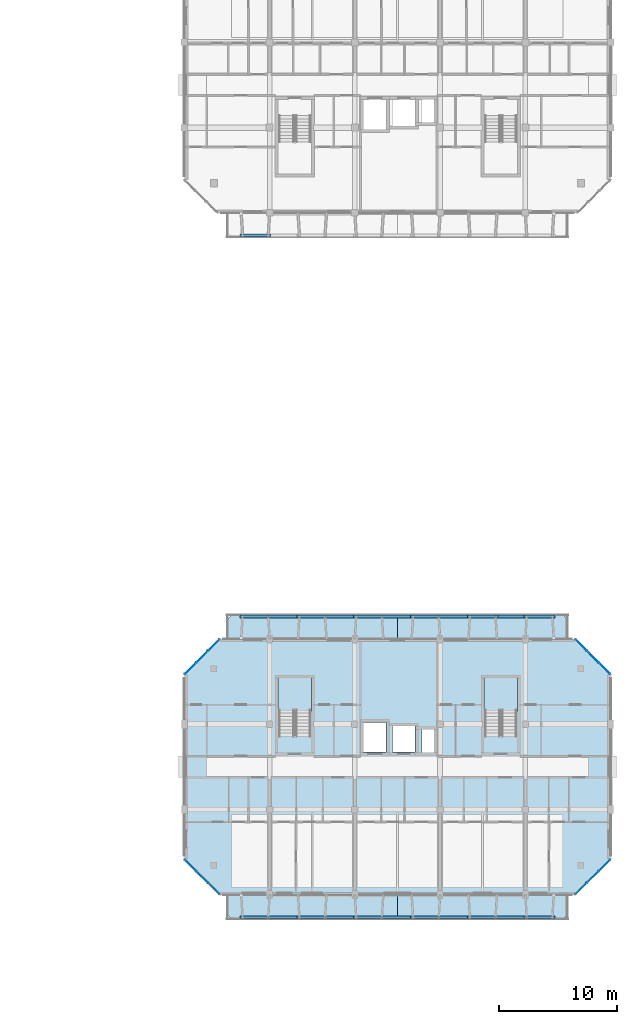
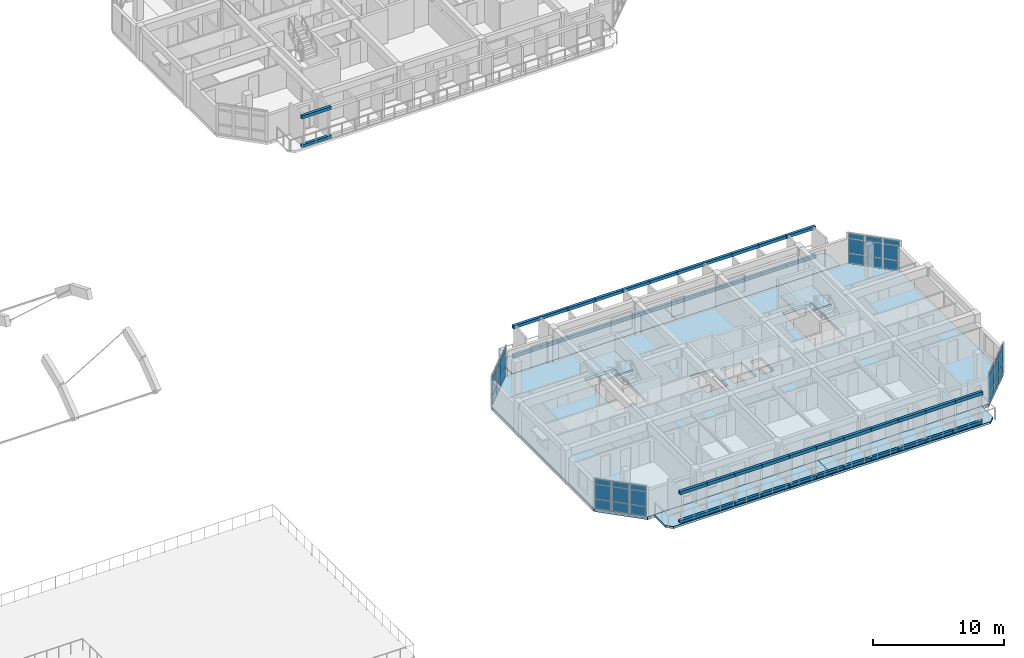
# One storey, part 23 of 64: 82 plates, 7 slabs, 6 elements without a shape of their own.
"""IFC4 building model written with IfcOpenShell, lengths in metres."""

from ifc_helpers import new_model, si_unit, direction, frame, origin, origin_2d, place, context, subcontext, project, spatial, polyline, rectangle, outline, extrude, material, layer, layer_set, type_object, element, aggregate, save


model = new_model("IFC4")

# Units and contexts
model_context = context("Model", 3, precision=1e-05, world=origin(), true_north=direction((0.0, 1.0)))
body_context = subcontext(model_context, "Body", "Model", "MODEL_VIEW")
ifc_project = project(units=[si_unit("LENGTHUNIT", "METRE"), si_unit("AREAUNIT", "SQUARE_METRE"), si_unit("VOLUMEUNIT", "CUBIC_METRE"), si_unit("PLANEANGLEUNIT", "RADIAN"), si_unit("MASSUNIT", "GRAM", prefix="KILO")], contexts=[model_context])

# Site, building, storey
site_placement = place(None, origin())
site = spatial("IfcSite", under=ifc_project, at=site_placement, CompositionType="ELEMENT")
building_placement = place(site_placement, origin())
building = spatial("IfcBuilding", under=site, at=building_placement, Name="Ochrevale Crest", CompositionType="ELEMENT")
storey_placement = place(building_placement, frame((0.0, 0.0, 8.699951171875)))
storey = spatial("IfcBuildingStorey", under=building, at=storey_placement, Name="L02", CompositionType="ELEMENT", Elevation=8.699951171875)

# Curtain wall, plates
ifc_material_1 = material(Name="Anodised aluminium 6063-T5", Category="aluminium")
ifc_layer_1 = layer(ifc_material_1, 0.14990234375)
ifc_layer_set_1 = layer_set([ifc_layer_1], Name="Anodised aluminium 6063-T5")
curtain_wall_type_1 = type_object("IfcCurtainWallType", Name="CW-WG-420x285", PredefinedType="NOTDEFINED", material=ifc_layer_set_1)
curtain_wall_1_placement = place(storey_placement, origin())
curtain_wall_1 = element("IfcCurtainWall", 1, at=curtain_wall_1_placement, inside=storey, type_object=curtain_wall_type_1, Name="Block C L02 chamfered corner wintergarden curtain wall 2", PredefinedType="NOTDEFINED")
ifc_material_2 = material(Name="Double-glazed low-E insulated glass unit", Category="glass")
ifc_layer_2 = layer(ifc_material_2, 0.028076171875)
ifc_layer_set_2 = layer_set([ifc_layer_2], Name="Double-glazed low-E insulated glass unit")
plate_type_1 = type_object("IfcPlateType", Name="CW-PNL-IGU28", PredefinedType="CURTAIN_PANEL", material=ifc_layer_set_2)
plate_1_placement = place(storey_placement, frame((163.11328125, 14.913330078125, 0.06005859375), z_axis=(0.0, 0.0, 1.0), x_axis=(0.707106781187, 0.707106781187, 0.0)))
plate_1 = element("IfcPlate", 2, at=plate_1_placement, type_object=plate_type_1, Name="CW22 panel 1.1", PredefinedType="CURTAIN_PANEL", context=body_context, shape_type="SweptSolid", body=[
    extrude(rectangle(XDim=1.3017578125, YDim=0.028076171875, at=origin_2d()), origin(), (0.0, 0.0, 1.0), 0.860107421875),
])
plate_2_placement = place(storey_placement, frame((163.11328125, 14.913330078125, 0.97998046875), z_axis=(0.0, 0.0, 1.0), x_axis=(0.707106781187, 0.707106781187, 0.0)))
plate_2 = element("IfcPlate", 3, at=plate_2_placement, type_object=plate_type_1, Name="CW22 panel 1.2", PredefinedType="CURTAIN_PANEL", context=body_context, shape_type="SweptSolid", body=[
    extrude(rectangle(XDim=1.3017578125, YDim=0.028076171875, at=origin_2d()), origin(), (0.0, 0.0, 1.0), 1.31494140625),
])
plate_3_placement = place(storey_placement, frame((163.11328125, 14.913330078125, 2.35498046875), z_axis=(0.0, 0.0, 1.0), x_axis=(0.707106781187, 0.707106781187, 0.0)))
plate_3 = element("IfcPlate", 4, at=plate_3_placement, type_object=plate_type_1, Name="CW22 panel 1.3", PredefinedType="CURTAIN_PANEL", context=body_context, shape_type="SweptSolid", body=[
    extrude(rectangle(XDim=1.3017578125, YDim=0.028076171875, at=origin_2d()), origin(), (0.0, 0.0, 1.0), 0.4599609375),
])
plate_4_placement = place(storey_placement, frame((164.10009765625, 15.89990234375, 0.06005859375), z_axis=(0.0, 0.0, 1.0), x_axis=(0.707106781187, 0.707106781187, 0.0)))
plate_4 = element("IfcPlate", 5, at=plate_4_placement, type_object=plate_type_1, Name="CW22 panel 2.1", PredefinedType="CURTAIN_PANEL", context=body_context, shape_type="SweptSolid", body=[
    extrude(rectangle(XDim=1.339111328125, YDim=0.028076171875, at=origin_2d()), origin(), (0.0, 0.0, 1.0), 0.860107421875),
])
plate_5_placement = place(storey_placement, frame((164.10009765625, 15.89990234375, 0.97998046875), z_axis=(0.0, 0.0, 1.0), x_axis=(0.707106781187, 0.707106781187, 0.0)))
plate_5 = element("IfcPlate", 6, at=plate_5_placement, type_object=plate_type_1, Name="CW22 panel 2.2", PredefinedType="CURTAIN_PANEL", context=body_context, shape_type="SweptSolid", body=[
    extrude(rectangle(XDim=1.339111328125, YDim=0.028076171875, at=origin_2d()), origin(), (0.0, 0.0, 1.0), 1.31494140625),
])
plate_6_placement = place(storey_placement, frame((164.10009765625, 15.89990234375, 2.35498046875), z_axis=(0.0, 0.0, 1.0), x_axis=(0.707106781187, 0.707106781187, 0.0)))
plate_6 = element("IfcPlate", 7, at=plate_6_placement, type_object=plate_type_1, Name="CW22 panel 2.3", PredefinedType="CURTAIN_PANEL", context=body_context, shape_type="SweptSolid", body=[
    extrude(rectangle(XDim=1.339111328125, YDim=0.028076171875, at=origin_2d()), origin(), (0.0, 0.0, 1.0), 0.4599609375),
])
plate_7_placement = place(storey_placement, frame((165.086669921875, 16.88671875, 0.06005859375), z_axis=(0.0, 0.0, 1.0), x_axis=(0.707106781187, 0.707106781187, 0.0)))
plate_7 = element("IfcPlate", 8, at=plate_7_placement, type_object=plate_type_1, Name="CW22 panel 3.1", PredefinedType="CURTAIN_PANEL", context=body_context, shape_type="SweptSolid", body=[
    extrude(rectangle(XDim=1.3017578125, YDim=0.028076171875, at=origin_2d()), origin(), (0.0, 0.0, 1.0), 0.860107421875),
])
plate_8_placement = place(storey_placement, frame((165.086669921875, 16.88671875, 0.97998046875), z_axis=(0.0, 0.0, 1.0), x_axis=(0.707106781187, 0.707106781187, 0.0)))
plate_8 = element("IfcPlate", 9, at=plate_8_placement, type_object=plate_type_1, Name="CW22 panel 3.2", PredefinedType="CURTAIN_PANEL", context=body_context, shape_type="SweptSolid", body=[
    extrude(rectangle(XDim=1.3017578125, YDim=0.028076171875, at=origin_2d()), origin(), (0.0, 0.0, 1.0), 1.31494140625),
])
plate_9_placement = place(storey_placement, frame((165.086669921875, 16.88671875, 2.35498046875), z_axis=(0.0, 0.0, 1.0), x_axis=(0.707106781187, 0.707106781187, 0.0)))
plate_9 = element("IfcPlate", 10, at=plate_9_placement, type_object=plate_type_1, Name="CW22 panel 3.3", PredefinedType="CURTAIN_PANEL", context=body_context, shape_type="SweptSolid", body=[
    extrude(rectangle(XDim=1.3017578125, YDim=0.028076171875, at=origin_2d()), origin(), (0.0, 0.0, 1.0), 0.4599609375),
])
aggregate(curtain_wall_1, [plate_1, plate_2, plate_3, plate_4, plate_5, plate_6, plate_7, plate_8, plate_9])

ifc_layer_3 = layer(ifc_material_1, 0.14990234375)
ifc_layer_set_3 = layer_set([ifc_layer_3], Name="Anodised aluminium 6063-T5")
curtain_wall_type_2 = type_object("IfcCurtainWallType", Name="CW-WG-240x285", PredefinedType="NOTDEFINED", material=ifc_layer_set_3)
curtain_wall_2_placement = place(storey_placement, origin())
curtain_wall_2 = element("IfcCurtainWall", 11, at=curtain_wall_2_placement, inside=storey, type_object=curtain_wall_type_2, Name="Block C L02 chamfered corner wintergarden curtain wall 8", PredefinedType="NOTDEFINED")
plate_10_placement = place(storey_placement, frame((130.11328125, 16.88671875, 0.06005859375), z_axis=(0.0, 0.0, 1.0), x_axis=(0.707106781187, -0.707106781187, 0.0)))
plate_10 = element("IfcPlate", 12, at=plate_10_placement, type_object=plate_type_1, Name="CW15 panel 1.1", PredefinedType="CURTAIN_PANEL", context=body_context, shape_type="SweptSolid", body=[
    extrude(rectangle(XDim=1.3017578125, YDim=0.028076171875, at=origin_2d()), origin(), (0.0, 0.0, 1.0), 0.860107421875),
])
plate_11_placement = place(storey_placement, frame((130.11328125, 16.88671875, 0.97998046875), z_axis=(0.0, 0.0, 1.0), x_axis=(0.707106781187, -0.707106781187, 0.0)))
plate_11 = element("IfcPlate", 13, at=plate_11_placement, type_object=plate_type_1, Name="CW15 panel 1.2", PredefinedType="CURTAIN_PANEL", context=body_context, shape_type="SweptSolid", body=[
    extrude(rectangle(XDim=1.3017578125, YDim=0.028076171875, at=origin_2d()), origin(), (0.0, 0.0, 1.0), 1.31494140625),
])
plate_12_placement = place(storey_placement, frame((130.11328125, 16.88671875, 2.35498046875), z_axis=(0.0, 0.0, 1.0), x_axis=(0.707106781187, -0.707106781187, 0.0)))
plate_12 = element("IfcPlate", 14, at=plate_12_placement, type_object=plate_type_1, Name="CW15 panel 1.3", PredefinedType="CURTAIN_PANEL", context=body_context, shape_type="SweptSolid", body=[
    extrude(rectangle(XDim=1.3017578125, YDim=0.028076171875, at=origin_2d()), origin(), (0.0, 0.0, 1.0), 0.4599609375),
])
plate_13_placement = place(storey_placement, frame((131.10009765625, 15.89990234375, 0.06005859375), z_axis=(0.0, 0.0, 1.0), x_axis=(0.707106781187, -0.707106781187, 0.0)))
plate_13 = element("IfcPlate", 15, at=plate_13_placement, type_object=plate_type_1, Name="CW15 panel 2.1", PredefinedType="CURTAIN_PANEL", context=body_context, shape_type="SweptSolid", body=[
    extrude(rectangle(XDim=1.339111328125, YDim=0.028076171875, at=origin_2d()), origin(), (0.0, 0.0, 1.0), 0.860107421875),
])
plate_14_placement = place(storey_placement, frame((131.10009765625, 15.89990234375, 0.97998046875), z_axis=(0.0, 0.0, 1.0), x_axis=(0.707106781187, -0.707106781187, 0.0)))
plate_14 = element("IfcPlate", 16, at=plate_14_placement, type_object=plate_type_1, Name="CW15 panel 2.2", PredefinedType="CURTAIN_PANEL", context=body_context, shape_type="SweptSolid", body=[
    extrude(rectangle(XDim=1.339111328125, YDim=0.028076171875, at=origin_2d()), origin(), (0.0, 0.0, 1.0), 1.31494140625),
])
plate_15_placement = place(storey_placement, frame((131.10009765625, 15.89990234375, 2.35498046875), z_axis=(0.0, 0.0, 1.0), x_axis=(0.707106781187, -0.707106781187, 0.0)))
plate_15 = element("IfcPlate", 17, at=plate_15_placement, type_object=plate_type_1, Name="CW15 panel 2.3", PredefinedType="CURTAIN_PANEL", context=body_context, shape_type="SweptSolid", body=[
    extrude(rectangle(XDim=1.339111328125, YDim=0.028076171875, at=origin_2d()), origin(), (0.0, 0.0, 1.0), 0.4599609375),
])
plate_16_placement = place(storey_placement, frame((132.086669921875, 14.913330078125, 0.06005859375), z_axis=(0.0, 0.0, 1.0), x_axis=(0.707106781187, -0.707106781187, 0.0)))
plate_16 = element("IfcPlate", 18, at=plate_16_placement, type_object=plate_type_1, Name="CW15 panel 3.1", PredefinedType="CURTAIN_PANEL", context=body_context, shape_type="SweptSolid", body=[
    extrude(rectangle(XDim=1.3017578125, YDim=0.028076171875, at=origin_2d()), origin(), (0.0, 0.0, 1.0), 0.860107421875),
])
plate_17_placement = place(storey_placement, frame((132.086669921875, 14.913330078125, 0.97998046875), z_axis=(0.0, 0.0, 1.0), x_axis=(0.707106781187, -0.707106781187, 0.0)))
plate_17 = element("IfcPlate", 19, at=plate_17_placement, type_object=plate_type_1, Name="CW15 panel 3.2", PredefinedType="CURTAIN_PANEL", context=body_context, shape_type="SweptSolid", body=[
    extrude(rectangle(XDim=1.3017578125, YDim=0.028076171875, at=origin_2d()), origin(), (0.0, 0.0, 1.0), 1.31494140625),
])
plate_18_placement = place(storey_placement, frame((132.086669921875, 14.913330078125, 2.35498046875), z_axis=(0.0, 0.0, 1.0), x_axis=(0.707106781187, -0.707106781187, 0.0)))
plate_18 = element("IfcPlate", 20, at=plate_18_placement, type_object=plate_type_1, Name="CW15 panel 3.3", PredefinedType="CURTAIN_PANEL", context=body_context, shape_type="SweptSolid", body=[
    extrude(rectangle(XDim=1.3017578125, YDim=0.028076171875, at=origin_2d()), origin(), (0.0, 0.0, 1.0), 0.4599609375),
])
aggregate(curtain_wall_2, [plate_10, plate_11, plate_12, plate_13, plate_14, plate_15, plate_16, plate_17, plate_18])

ifc_layer_4 = layer(ifc_material_1, 0.14990234375)
ifc_layer_set_4 = layer_set([ifc_layer_4], Name="Anodised aluminium 6063-T5")
curtain_wall_type_3 = type_object("IfcCurtainWallType", Name="CW-WG-280x285", PredefinedType="NOTDEFINED", material=ifc_layer_set_4)
curtain_wall_3_placement = place(storey_placement, origin())
curtain_wall_3 = element("IfcCurtainWall", 21, at=curtain_wall_3_placement, inside=storey, type_object=curtain_wall_type_3, Name="Block C L02 chamfered corner wintergarden curtain wall 4", PredefinedType="NOTDEFINED")
ifc_material_3 = material(Name="Acoustic laminated low-E insulated glass unit", Category="glass")
ifc_layer_5 = layer(ifc_material_3, 0.0380859375)
ifc_layer_set_5 = layer_set([ifc_layer_5], Name="Acoustic laminated low-E insulated glass unit")
plate_type_2 = type_object("IfcPlateType", Name="CW-PNL-IGU38", PredefinedType="CURTAIN_PANEL", material=ifc_layer_set_5)
plate_19_placement = place(storey_placement, frame((165.086669921875, 33.51318359375, 0.06005859375), z_axis=(0.0, 0.0, 1.0), x_axis=(-0.707106781187, 0.707106781187, 0.0)))
plate_19 = element("IfcPlate", 22, at=plate_19_placement, type_object=plate_type_2, Name="CW16 panel 1.1", PredefinedType="CURTAIN_PANEL", context=body_context, shape_type="SweptSolid", body=[
    extrude(rectangle(XDim=1.3017578125, YDim=0.0380859375, at=origin_2d()), origin(), (0.0, 0.0, 1.0), 0.860107421875),
])
plate_20_placement = place(storey_placement, frame((165.086669921875, 33.51318359375, 0.97998046875), z_axis=(0.0, 0.0, 1.0), x_axis=(-0.707106781187, 0.707106781187, 0.0)))
plate_20 = element("IfcPlate", 23, at=plate_20_placement, type_object=plate_type_2, Name="CW16 panel 1.2", PredefinedType="CURTAIN_PANEL", context=body_context, shape_type="SweptSolid", body=[
    extrude(rectangle(XDim=1.3017578125, YDim=0.0380859375, at=origin_2d()), origin(), (0.0, 0.0, 1.0), 1.31494140625),
])
plate_21_placement = place(storey_placement, frame((165.086669921875, 33.51318359375, 2.35498046875), z_axis=(0.0, 0.0, 1.0), x_axis=(-0.707106781187, 0.707106781187, 0.0)))
plate_21 = element("IfcPlate", 24, at=plate_21_placement, type_object=plate_type_2, Name="CW16 panel 1.3", PredefinedType="CURTAIN_PANEL", context=body_context, shape_type="SweptSolid", body=[
    extrude(rectangle(XDim=1.3017578125, YDim=0.0380859375, at=origin_2d()), origin(), (0.0, 0.0, 1.0), 0.4599609375),
])
plate_22_placement = place(storey_placement, frame((164.10009765625, 34.5, 0.06005859375), z_axis=(0.0, 0.0, 1.0), x_axis=(-0.707106781187, 0.707106781187, 0.0)))
plate_22 = element("IfcPlate", 25, at=plate_22_placement, type_object=plate_type_2, Name="CW16 panel 2.1", PredefinedType="CURTAIN_PANEL", context=body_context, shape_type="SweptSolid", body=[
    extrude(rectangle(XDim=1.339111328125, YDim=0.0380859375, at=origin_2d()), origin(), (0.0, 0.0, 1.0), 0.860107421875),
])
plate_23_placement = place(storey_placement, frame((164.10009765625, 34.5, 0.97998046875), z_axis=(0.0, 0.0, 1.0), x_axis=(-0.707106781187, 0.707106781187, 0.0)))
plate_23 = element("IfcPlate", 26, at=plate_23_placement, type_object=plate_type_2, Name="CW16 panel 2.2", PredefinedType="CURTAIN_PANEL", context=body_context, shape_type="SweptSolid", body=[
    extrude(rectangle(XDim=1.339111328125, YDim=0.0380859375, at=origin_2d()), origin(), (0.0, 0.0, 1.0), 1.31494140625),
])
plate_24_placement = place(storey_placement, frame((164.10009765625, 34.5, 2.35498046875), z_axis=(0.0, 0.0, 1.0), x_axis=(-0.707106781187, 0.707106781187, 0.0)))
plate_24 = element("IfcPlate", 27, at=plate_24_placement, type_object=plate_type_2, Name="CW16 panel 2.3", PredefinedType="CURTAIN_PANEL", context=body_context, shape_type="SweptSolid", body=[
    extrude(rectangle(XDim=1.339111328125, YDim=0.0380859375, at=origin_2d()), origin(), (0.0, 0.0, 1.0), 0.4599609375),
])
plate_25_placement = place(storey_placement, frame((163.11328125, 35.48681640625, 0.06005859375), z_axis=(0.0, 0.0, 1.0), x_axis=(-0.707106781187, 0.707106781187, 0.0)))
plate_25 = element("IfcPlate", 28, at=plate_25_placement, type_object=plate_type_2, Name="CW16 panel 3.1", PredefinedType="CURTAIN_PANEL", context=body_context, shape_type="SweptSolid", body=[
    extrude(rectangle(XDim=1.3017578125, YDim=0.0380859375, at=origin_2d()), origin(), (0.0, 0.0, 1.0), 0.860107421875),
])
plate_26_placement = place(storey_placement, frame((163.11328125, 35.48681640625, 0.97998046875), z_axis=(0.0, 0.0, 1.0), x_axis=(-0.707106781187, 0.707106781187, 0.0)))
plate_26 = element("IfcPlate", 29, at=plate_26_placement, type_object=plate_type_2, Name="CW16 panel 3.2", PredefinedType="CURTAIN_PANEL", context=body_context, shape_type="SweptSolid", body=[
    extrude(rectangle(XDim=1.3017578125, YDim=0.0380859375, at=origin_2d()), origin(), (0.0, 0.0, 1.0), 1.31494140625),
])
plate_27_placement = place(storey_placement, frame((163.11328125, 35.48681640625, 2.35498046875), z_axis=(0.0, 0.0, 1.0), x_axis=(-0.707106781187, 0.707106781187, 0.0)))
plate_27 = element("IfcPlate", 30, at=plate_27_placement, type_object=plate_type_2, Name="CW16 panel 3.3", PredefinedType="CURTAIN_PANEL", context=body_context, shape_type="SweptSolid", body=[
    extrude(rectangle(XDim=1.3017578125, YDim=0.0380859375, at=origin_2d()), origin(), (0.0, 0.0, 1.0), 0.4599609375),
])
aggregate(curtain_wall_3, [plate_19, plate_20, plate_21, plate_22, plate_23, plate_24, plate_25, plate_26, plate_27])

ifc_layer_6 = layer(ifc_material_1, 0.14990234375)
ifc_layer_set_6 = layer_set([ifc_layer_6], Name="Anodised aluminium 6063-T5")
curtain_wall_type_4 = type_object("IfcCurtainWallType", Name="CW-WG-360x285", PredefinedType="NOTDEFINED", material=ifc_layer_set_6)
curtain_wall_4_placement = place(storey_placement, origin())
curtain_wall_4 = element("IfcCurtainWall", 31, at=curtain_wall_4_placement, inside=storey, type_object=curtain_wall_type_4, Name="Block C L02 chamfered corner wintergarden curtain wall 6", PredefinedType="NOTDEFINED")
plate_28_placement = place(storey_placement, frame((132.086669921875, 35.48681640625, 0.06005859375), z_axis=(0.0, 0.0, 1.0), x_axis=(-0.707106781187, -0.707106781187, 0.0)))
plate_28 = element("IfcPlate", 32, at=plate_28_placement, type_object=plate_type_2, Name="CW18 panel 1.1", PredefinedType="CURTAIN_PANEL", context=body_context, shape_type="SweptSolid", body=[
    extrude(rectangle(XDim=1.3017578125, YDim=0.0380859375, at=origin_2d()), origin(), (0.0, 0.0, 1.0), 0.860107421875),
])
plate_29_placement = place(storey_placement, frame((132.086669921875, 35.48681640625, 0.97998046875), z_axis=(0.0, 0.0, 1.0), x_axis=(-0.707106781187, -0.707106781187, 0.0)))
plate_29 = element("IfcPlate", 33, at=plate_29_placement, type_object=plate_type_2, Name="CW18 panel 1.2", PredefinedType="CURTAIN_PANEL", context=body_context, shape_type="SweptSolid", body=[
    extrude(rectangle(XDim=1.3017578125, YDim=0.0380859375, at=origin_2d()), origin(), (0.0, 0.0, 1.0), 1.31494140625),
])
plate_30_placement = place(storey_placement, frame((132.086669921875, 35.48681640625, 2.35498046875), z_axis=(0.0, 0.0, 1.0), x_axis=(-0.707106781187, -0.707106781187, 0.0)))
plate_30 = element("IfcPlate", 34, at=plate_30_placement, type_object=plate_type_2, Name="CW18 panel 1.3", PredefinedType="CURTAIN_PANEL", context=body_context, shape_type="SweptSolid", body=[
    extrude(rectangle(XDim=1.3017578125, YDim=0.0380859375, at=origin_2d()), origin(), (0.0, 0.0, 1.0), 0.4599609375),
])
plate_31_placement = place(storey_placement, frame((131.10009765625, 34.5, 0.06005859375), z_axis=(0.0, 0.0, 1.0), x_axis=(-0.707106781187, -0.707106781187, 0.0)))
plate_31 = element("IfcPlate", 35, at=plate_31_placement, type_object=plate_type_2, Name="CW18 panel 2.1", PredefinedType="CURTAIN_PANEL", context=body_context, shape_type="SweptSolid", body=[
    extrude(rectangle(XDim=1.339111328125, YDim=0.0380859375, at=origin_2d()), origin(), (0.0, 0.0, 1.0), 0.860107421875),
])
plate_32_placement = place(storey_placement, frame((131.10009765625, 34.5, 0.97998046875), z_axis=(0.0, 0.0, 1.0), x_axis=(-0.707106781187, -0.707106781187, 0.0)))
plate_32 = element("IfcPlate", 36, at=plate_32_placement, type_object=plate_type_2, Name="CW18 panel 2.2", PredefinedType="CURTAIN_PANEL", context=body_context, shape_type="SweptSolid", body=[
    extrude(rectangle(XDim=1.339111328125, YDim=0.0380859375, at=origin_2d()), origin(), (0.0, 0.0, 1.0), 1.31494140625),
])
plate_33_placement = place(storey_placement, frame((131.10009765625, 34.5, 2.35498046875), z_axis=(0.0, 0.0, 1.0), x_axis=(-0.707106781187, -0.707106781187, 0.0)))
plate_33 = element("IfcPlate", 37, at=plate_33_placement, type_object=plate_type_2, Name="CW18 panel 2.3", PredefinedType="CURTAIN_PANEL", context=body_context, shape_type="SweptSolid", body=[
    extrude(rectangle(XDim=1.339111328125, YDim=0.0380859375, at=origin_2d()), origin(), (0.0, 0.0, 1.0), 0.4599609375),
])
plate_34_placement = place(storey_placement, frame((130.11328125, 33.51318359375, 0.06005859375), z_axis=(0.0, 0.0, 1.0), x_axis=(-0.707106781187, -0.707106781187, 0.0)))
plate_34 = element("IfcPlate", 38, at=plate_34_placement, type_object=plate_type_2, Name="CW18 panel 3.1", PredefinedType="CURTAIN_PANEL", context=body_context, shape_type="SweptSolid", body=[
    extrude(rectangle(XDim=1.3017578125, YDim=0.0380859375, at=origin_2d()), origin(), (0.0, 0.0, 1.0), 0.860107421875),
])
plate_35_placement = place(storey_placement, frame((130.11328125, 33.51318359375, 0.97998046875), z_axis=(0.0, 0.0, 1.0), x_axis=(-0.707106781187, -0.707106781187, 0.0)))
plate_35 = element("IfcPlate", 39, at=plate_35_placement, type_object=plate_type_2, Name="CW18 panel 3.2", PredefinedType="CURTAIN_PANEL", context=body_context, shape_type="SweptSolid", body=[
    extrude(rectangle(XDim=1.3017578125, YDim=0.0380859375, at=origin_2d()), origin(), (0.0, 0.0, 1.0), 1.31494140625),
])
plate_36_placement = place(storey_placement, frame((130.11328125, 33.51318359375, 2.35498046875), z_axis=(0.0, 0.0, 1.0), x_axis=(-0.707106781187, -0.707106781187, 0.0)))
plate_36 = element("IfcPlate", 40, at=plate_36_placement, type_object=plate_type_2, Name="CW18 panel 3.3", PredefinedType="CURTAIN_PANEL", context=body_context, shape_type="SweptSolid", body=[
    extrude(rectangle(XDim=1.3017578125, YDim=0.0380859375, at=origin_2d()), origin(), (0.0, 0.0, 1.0), 0.4599609375),
])
aggregate(curtain_wall_4, [plate_28, plate_29, plate_30, plate_31, plate_32, plate_33, plate_34, plate_35, plate_36])

# Plates
ifc_material_4 = material(Name="Precast concrete C40/50", Category="concrete")
ifc_layer_7 = layer(ifc_material_4, 0.06005859375)
ifc_layer_set_7 = layer_set([ifc_layer_7], Name="Precast concrete C40/50")
plate_type_3 = type_object("IfcPlateType", Name="PLT-HC-HEAD-60", PredefinedType="USERDEFINED", material=ifc_layer_set_7)
for number, where, z_axis, x_axis, name in (
    (41, (135.60009765625, 12.5, 2.669921875), (0.0, 0.0, 1.0), (1.0, 0.0, 0.0), "Block C L02 S honeycomb arched lintel fascia 1"),
    (42, (138.0, 12.5, 2.669921875), (0.0, 0.0, 1.0), (1.0, 0.0, 0.0), "Block C L02 S honeycomb arched lintel fascia 2"),
    (43, (140.39990234375, 12.5, 2.669921875), (0.0, 0.0, 1.0), (1.0, 0.0, 0.0), "Block C L02 S honeycomb arched lintel fascia 3"),
    (44, (142.800048828125, 12.5, 2.669921875), (0.0, 0.0, 1.0), (1.0, 0.0, 0.0), "Block C L02 S honeycomb arched lintel fascia 4"),
    (45, (145.199951171875, 12.5, 2.669921875), (0.0, 0.0, 1.0), (1.0, 0.0, 0.0), "Block C L02 S honeycomb arched lintel fascia 5"),
    (46, (147.60009765625, 12.5, 2.669921875), (0.0, 0.0, 1.0), (1.0, 0.0, 0.0), "Block C L02 S honeycomb arched lintel fascia 6"),
    (47, (150.0, 12.5, 2.669921875), (0.0, 0.0, 1.0), (1.0, 0.0, 0.0), "Block C L02 S honeycomb arched lintel fascia 7"),
    (48, (152.39990234375, 12.5, 2.669921875), (0.0, 0.0, 1.0), (1.0, 0.0, 0.0), "Block C L02 S honeycomb arched lintel fascia 8"),
    (49, (154.800048828125, 12.5, 2.669921875), (0.0, 0.0, 1.0), (1.0, 0.0, 0.0), "Block C L02 S honeycomb arched lintel fascia 9"),
    (50, (157.199951171875, 12.5, 2.669921875), (0.0, 0.0, 1.0), (1.0, 0.0, 0.0), "Block C L02 S honeycomb arched lintel fascia 10"),
    (51, (159.60009765625, 12.5, 2.669921875), (0.0, 0.0, 1.0), (1.0, 0.0, 0.0), "Block C L02 S honeycomb arched lintel fascia 11"),
    (52, (135.60009765625, 37.89990234375, 2.669921875), (0.0, 0.0, 1.0), (1.0, 0.0, 0.0), "Block C L02 N honeycomb arched lintel fascia 1"),
    (53, (138.0, 37.89990234375, 2.669921875), (0.0, 0.0, 1.0), (1.0, 0.0, 0.0), "Block C L02 N honeycomb arched lintel fascia 2"),
    (54, (140.39990234375, 37.89990234375, 2.669921875), (0.0, 0.0, 1.0), (1.0, 0.0, 0.0), "Block C L02 N honeycomb arched lintel fascia 3"),
    (55, (142.800048828125, 37.89990234375, 2.669921875), (0.0, 0.0, 1.0), (1.0, 0.0, 0.0), "Block C L02 N honeycomb arched lintel fascia 4"),
    (56, (145.199951171875, 37.89990234375, 2.669921875), (0.0, 0.0, 1.0), (1.0, 0.0, 0.0), "Block C L02 N honeycomb arched lintel fascia 5"),
    (57, (147.60009765625, 37.89990234375, 2.669921875), (0.0, 0.0, 1.0), (1.0, 0.0, 0.0), "Block C L02 N honeycomb arched lintel fascia 6"),
    (58, (150.0, 37.89990234375, 2.669921875), (0.0, 0.0, 1.0), (1.0, 0.0, 0.0), "Block C L02 N honeycomb arched lintel fascia 7"),
    (59, (152.39990234375, 37.89990234375, 2.669921875), (0.0, 0.0, 1.0), (1.0, 0.0, 0.0), "Block C L02 N honeycomb arched lintel fascia 8"),
    (60, (154.800048828125, 37.89990234375, 2.669921875), (0.0, 0.0, 1.0), (1.0, 0.0, 0.0), "Block C L02 N honeycomb arched lintel fascia 9"),
    (61, (157.199951171875, 37.89990234375, 2.669921875), (0.0, 0.0, 1.0), (1.0, 0.0, 0.0), "Block C L02 N honeycomb arched lintel fascia 10"),
    (62, (159.60009765625, 37.89990234375, 2.669921875), (0.0, 0.0, 1.0), (1.0, 0.0, 0.0), "Block C L02 N honeycomb arched lintel fascia 11"),
    (63, (135.60009765625, 70.10009765625, 2.669921875), (0.0, 0.0, 1.0), (1.0, 0.0, 0.0), "Block D L02 S honeycomb arched lintel fascia 1"),
):
    element("IfcPlate", number, at=place(storey_placement, frame(where, z_axis=z_axis, x_axis=x_axis)), inside=storey, type_object=plate_type_3, Name=name, ObjectType="FACADE FASCIA PLATE", PredefinedType="USERDEFINED", context=body_context, shape_type="SweptSolid", body=[
        extrude(rectangle(XDim=2.60009765625, YDim=0.239990234375, at=origin_2d()), origin(), (0.0, 0.0, 1.0), 0.280029296875),
    ])
ifc_layer_8 = layer(ifc_material_4, 0.044921875)
ifc_layer_set_8 = layer_set([ifc_layer_8], Name="Precast concrete C40/50")
plate_type_4 = type_object("IfcPlateType", Name="PLT-HC-SILL-45", PredefinedType="USERDEFINED", material=ifc_layer_set_8)
for number, where, z_axis, x_axis, name in (
    (64, (135.60009765625, 12.5, 0.0), (0.0, 0.0, 1.0), (1.0, 0.0, 0.0), "Block C L02 S honeycomb sill coping plate 1"),
    (65, (138.0, 12.5, 0.0), (0.0, 0.0, 1.0), (1.0, 0.0, 0.0), "Block C L02 S honeycomb sill coping plate 2"),
    (66, (140.39990234375, 12.5, 0.0), (0.0, 0.0, 1.0), (1.0, 0.0, 0.0), "Block C L02 S honeycomb sill coping plate 3"),
    (67, (142.800048828125, 12.5, 0.0), (0.0, 0.0, 1.0), (1.0, 0.0, 0.0), "Block C L02 S honeycomb sill coping plate 4"),
    (68, (145.199951171875, 12.5, 0.0), (0.0, 0.0, 1.0), (1.0, 0.0, 0.0), "Block C L02 S honeycomb sill coping plate 5"),
    (69, (147.60009765625, 12.5, 0.0), (0.0, 0.0, 1.0), (1.0, 0.0, 0.0), "Block C L02 S honeycomb sill coping plate 6"),
    (70, (150.0, 12.5, 0.0), (0.0, 0.0, 1.0), (1.0, 0.0, 0.0), "Block C L02 S honeycomb sill coping plate 7"),
    (71, (152.39990234375, 12.5, 0.0), (0.0, 0.0, 1.0), (1.0, 0.0, 0.0), "Block C L02 S honeycomb sill coping plate 8"),
    (72, (154.800048828125, 12.5, 0.0), (0.0, 0.0, 1.0), (1.0, 0.0, 0.0), "Block C L02 S honeycomb sill coping plate 9"),
    (73, (157.199951171875, 12.5, 0.0), (0.0, 0.0, 1.0), (1.0, 0.0, 0.0), "Block C L02 S honeycomb sill coping plate 10"),
    (74, (159.60009765625, 12.5, 0.0), (0.0, 0.0, 1.0), (1.0, 0.0, 0.0), "Block C L02 S honeycomb sill coping plate 11"),
    (75, (135.60009765625, 37.89990234375, 0.0), (0.0, 0.0, 1.0), (1.0, 0.0, 0.0), "Block C L02 N honeycomb sill coping plate 1"),
    (76, (138.0, 37.89990234375, 0.0), (0.0, 0.0, 1.0), (1.0, 0.0, 0.0), "Block C L02 N honeycomb sill coping plate 2"),
    (77, (140.39990234375, 37.89990234375, 0.0), (0.0, 0.0, 1.0), (1.0, 0.0, 0.0), "Block C L02 N honeycomb sill coping plate 3"),
    (78, (142.800048828125, 37.89990234375, 0.0), (0.0, 0.0, 1.0), (1.0, 0.0, 0.0), "Block C L02 N honeycomb sill coping plate 4"),
    (79, (145.199951171875, 37.89990234375, 0.0), (0.0, 0.0, 1.0), (1.0, 0.0, 0.0), "Block C L02 N honeycomb sill coping plate 5"),
    (80, (147.60009765625, 37.89990234375, 0.0), (0.0, 0.0, 1.0), (1.0, 0.0, 0.0), "Block C L02 N honeycomb sill coping plate 6"),
    (81, (150.0, 37.89990234375, 0.0), (0.0, 0.0, 1.0), (1.0, 0.0, 0.0), "Block C L02 N honeycomb sill coping plate 7"),
    (82, (152.39990234375, 37.89990234375, 0.0), (0.0, 0.0, 1.0), (1.0, 0.0, 0.0), "Block C L02 N honeycomb sill coping plate 8"),
    (83, (154.800048828125, 37.89990234375, 0.0), (0.0, 0.0, 1.0), (1.0, 0.0, 0.0), "Block C L02 N honeycomb sill coping plate 9"),
    (84, (157.199951171875, 37.89990234375, 0.0), (0.0, 0.0, 1.0), (1.0, 0.0, 0.0), "Block C L02 N honeycomb sill coping plate 10"),
    (85, (159.60009765625, 37.89990234375, 0.0), (0.0, 0.0, 1.0), (1.0, 0.0, 0.0), "Block C L02 N honeycomb sill coping plate 11"),
    (86, (135.60009765625, 70.10009765625, 0.0), (0.0, 0.0, 1.0), (1.0, 0.0, 0.0), "Block D L02 S honeycomb sill coping plate 1"),
):
    element("IfcPlate", number, at=place(storey_placement, frame(where, z_axis=z_axis, x_axis=x_axis)), inside=storey, type_object=plate_type_4, Name=name, ObjectType="SILL COPING PLATE", PredefinedType="USERDEFINED", context=body_context, shape_type="SweptSolid", body=[
        extrude(rectangle(XDim=2.60009765625, YDim=0.219970703125, at=origin_2d()), origin(), (0.0, 0.0, 1.0), 0.260009765625),
    ])

# Slabs
ifc_layer_9 = layer(ifc_material_4, 0.199951171875)
ifc_layer_set_9 = layer_set([ifc_layer_9], Name="Precast concrete C40/50")
slab_type_1 = type_object("IfcSlabType", Name="SLB-BAL-200", PredefinedType="FLOOR", material=ifc_layer_set_9)
slab_1_placement = place(storey_placement, frame((0.0, 0.0, -0.199951171875)))
element("IfcSlab", 87, at=slab_1_placement, inside=storey, type_object=slab_type_1, Name="Block C L02 S1 precast loggia balcony slab", PredefinedType="FLOOR", context=body_context, shape_type="SweptSolid", body=[
    extrude(outline(polyline([(133.64990234375, 12.300048828125), (147.60009765625, 12.300048828125), (147.60009765625, 14.39990234375), (133.199951171875, 14.39990234375), (133.199951171875, 12.75), (133.64990234375, 12.300048828125)])), origin(), (0.0, 0.0, 1.0), 0.199951171875),
])
slab_2_placement = place(storey_placement, frame((0.0, 0.0, -0.199951171875)))
element("IfcSlab", 88, at=slab_2_placement, inside=storey, type_object=slab_type_1, Name="Block C L02 S2 precast loggia balcony slab", PredefinedType="FLOOR", context=body_context, shape_type="SweptSolid", body=[
    extrude(outline(polyline([(147.60009765625, 12.300048828125), (161.550048828125, 12.300048828125), (162.0, 12.75), (162.0, 14.39990234375), (147.60009765625, 14.39990234375), (147.60009765625, 12.300048828125)])), origin(), (0.0, 0.0, 1.0), 0.199951171875),
])
slab_3_placement = place(storey_placement, frame((0.0, 0.0, -0.199951171875)))
element("IfcSlab", 89, at=slab_3_placement, inside=storey, type_object=slab_type_1, Name="Block C L02 N1 precast loggia balcony slab", PredefinedType="FLOOR", context=body_context, shape_type="SweptSolid", body=[
    extrude(outline(polyline([(133.199951171875, 36.0), (147.60009765625, 36.0), (147.60009765625, 38.10009765625), (133.64990234375, 38.10009765625), (133.199951171875, 37.64990234375), (133.199951171875, 36.0)])), origin(), (0.0, 0.0, 1.0), 0.199951171875),
])
slab_4_placement = place(storey_placement, frame((0.0, 0.0, -0.199951171875)))
element("IfcSlab", 90, at=slab_4_placement, inside=storey, type_object=slab_type_1, Name="Block C L02 N2 precast loggia balcony slab", PredefinedType="FLOOR", context=body_context, shape_type="SweptSolid", body=[
    extrude(outline(polyline([(147.60009765625, 36.0), (162.0, 36.0), (162.0, 37.64990234375), (161.550048828125, 38.10009765625), (147.60009765625, 38.10009765625), (147.60009765625, 36.0)])), origin(), (0.0, 0.0, 1.0), 0.199951171875),
])
ifc_layer_10 = layer(ifc_material_4, 0.27490234375)
ifc_layer_set_10 = layer_set([ifc_layer_10], Name="Precast concrete C40/50")
slab_type_2 = type_object("IfcSlabType", Name="SLB-RES-275", PredefinedType="FLOOR", material=ifc_layer_set_10)
slab_5_placement = place(storey_placement, frame((0.0, 0.0, -0.27490234375)))
element("IfcSlab", 91, at=slab_5_placement, inside=storey, type_object=slab_type_2, Name="Block C L02 composite hollowcore floor slab", PredefinedType="FLOOR", context=body_context, shape_type="SweptSolid", body=[
    extrude(outline(polyline([(132.60009765625, 14.39990234375), (162.60009765625, 14.39990234375), (165.60009765625, 17.39990234375), (165.60009765625, 33.0), (162.60009765625, 36.0), (132.60009765625, 36.0), (129.60009765625, 33.0), (129.60009765625, 17.39990234375), (132.60009765625, 14.39990234375)]), holes=[polyline([(140.25, 27.824951171875), (140.25, 32.72509765625), (137.60009765625, 32.72509765625), (137.60009765625, 27.824951171875), (140.25, 27.824951171875)]), polyline([(157.64990234375, 27.824951171875), (157.64990234375, 32.72509765625), (155.0, 32.72509765625), (155.0, 27.824951171875), (157.64990234375, 27.824951171875)]), polyline([(144.75, 26.449951171875), (146.64990234375, 26.449951171875), (146.64990234375, 28.949951171875), (144.75, 28.949951171875), (144.75, 26.449951171875)]), polyline([(147.199951171875, 26.449951171875), (149.10009765625, 26.449951171875), (149.10009765625, 28.64990234375), (147.199951171875, 28.64990234375), (147.199951171875, 26.449951171875)]), polyline([(149.669921875, 26.419921875), (150.679931640625, 26.419921875), (150.679931640625, 28.3798828125), (149.669921875, 28.3798828125), (149.669921875, 26.419921875)])]), origin(), (0.0, 0.0, 1.0), 0.27490234375),
])

# Stair, slab
stair_type = type_object("IfcStairType", Name="ST-CORE-DOG", PredefinedType="HALF_TURN_STAIR", material=ifc_material_4)
stair_1_placement = place(storey_placement, origin())
stair_1 = element("IfcStair", 92, at=stair_1_placement, inside=storey, type_object=stair_type, Name="L02 Block C Fire Stair 1", PredefinedType="HALF_TURN_STAIR")
ifc_layer_11 = layer(ifc_material_4, 0.199951171875)
ifc_layer_set_11 = layer_set([ifc_layer_11], Name="Precast concrete C40/50")
slab_type_3 = type_object("IfcSlabType", Name="SLB-ST-LAND", PredefinedType="LANDING", material=ifc_layer_set_11)
slab_6_placement = place(storey_placement, frame((0.0, 0.0, 1.375)))
slab_6 = element("IfcSlab", 93, at=slab_6_placement, type_object=slab_type_3, Name="ST-C1 landing 1", PredefinedType="LANDING", context=body_context, shape_type="SweptSolid", body=[
    extrude(outline(polyline([(140.330078125, 29.93505859375), (140.330078125, 32.804931640625), (137.52001953125, 32.804931640625), (137.52001953125, 29.93505859375), (140.330078125, 29.93505859375)])), origin(), (0.0, 0.0, 1.0), 0.199951171875),
])
aggregate(stair_1, [slab_6])

stair_2_placement = place(storey_placement, origin())
stair_2 = element("IfcStair", 94, at=stair_2_placement, inside=storey, type_object=stair_type, Name="L02 Block C Fire Stair 2", PredefinedType="HALF_TURN_STAIR")
slab_7_placement = place(storey_placement, frame((0.0, 0.0, 1.375)))
slab_7 = element("IfcSlab", 95, at=slab_7_placement, type_object=slab_type_3, Name="ST-C2 landing 1", PredefinedType="LANDING", context=body_context, shape_type="SweptSolid", body=[
    extrude(outline(polyline([(157.72998046875, 29.93505859375), (157.72998046875, 32.804931640625), (154.919921875, 32.804931640625), (154.919921875, 29.93505859375), (157.72998046875, 29.93505859375)])), origin(), (0.0, 0.0, 1.0), 0.199951171875),
])
aggregate(stair_2, [slab_7])

save(model, "model.ifc")
